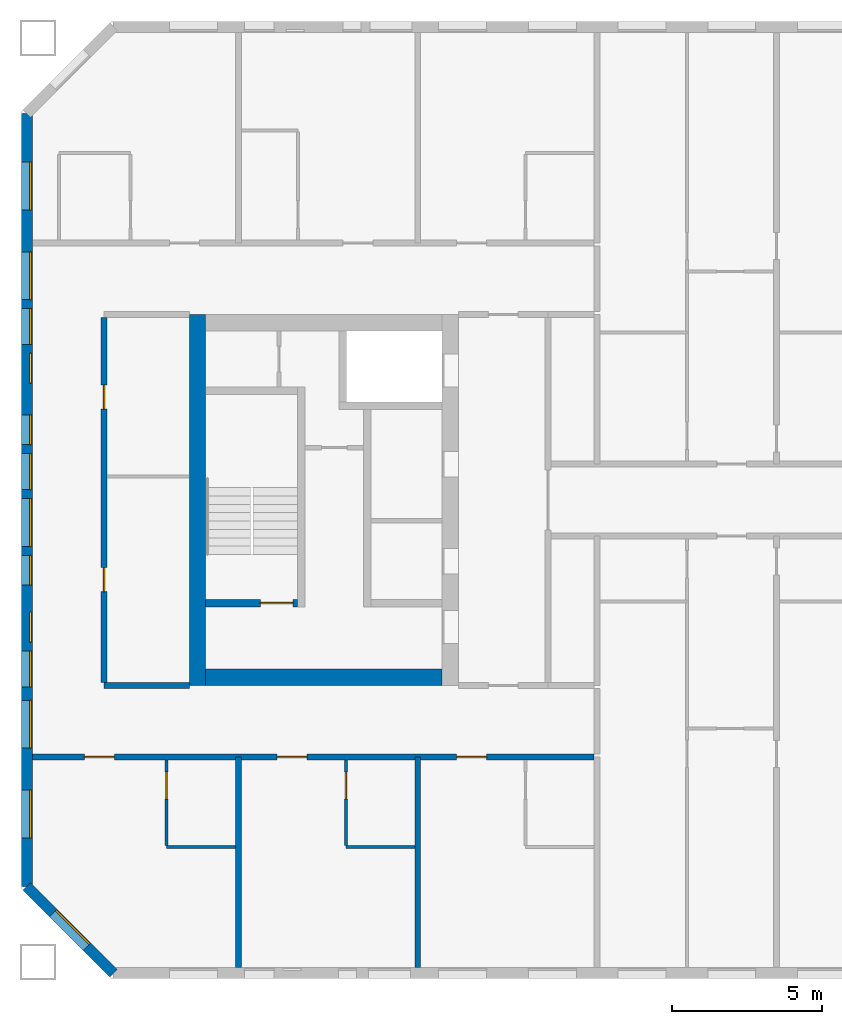
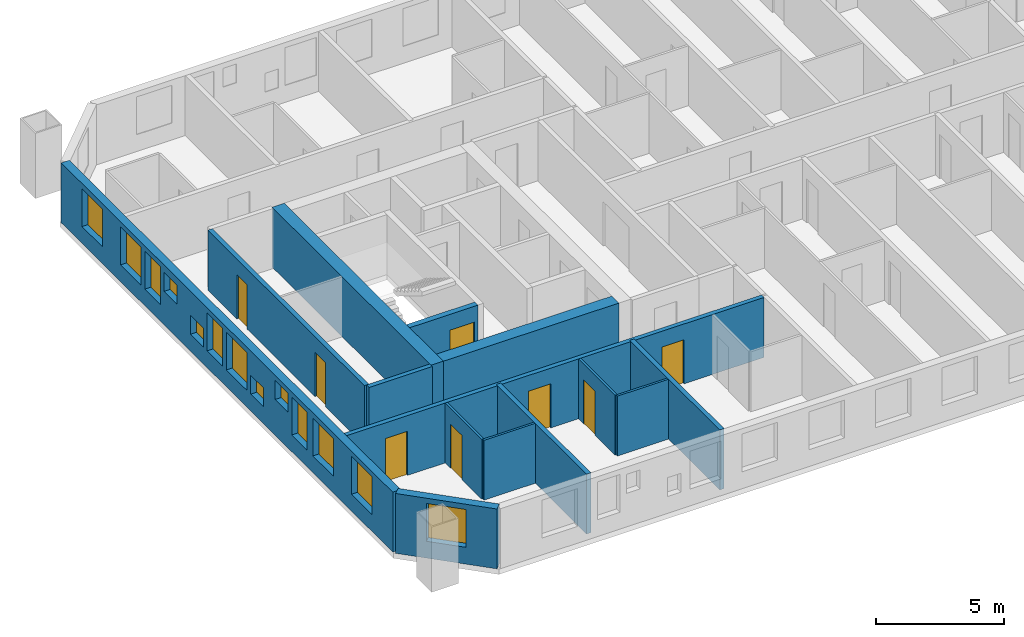
# One storey, part 2 of 17: 14 walls, 13 windows, 8 doors, 21 openings.
"""IFC4 building model written with IfcOpenShell, lengths in metres."""

from ifc_helpers import new_model, si_unit, direction, frame, frame_2d, origin, place, context, subcontext, project, spatial, rectangle, extrude, material, layer, layer_set, type_object, element, fill, save


model = new_model("IFC4")

# Units and contexts
model_context = context("Model", 3, precision=1e-05, world=origin(), true_north=direction((0.0, 1.0)))
body_context = subcontext(model_context, "Body", "Model", "MODEL_VIEW")
ifc_project = project(units=[si_unit("LENGTHUNIT", "METRE"), si_unit("AREAUNIT", "SQUARE_METRE"), si_unit("VOLUMEUNIT", "CUBIC_METRE"), si_unit("PLANEANGLEUNIT", "RADIAN"), si_unit("MASSUNIT", "GRAM", prefix="KILO")], contexts=[model_context])

# Site, building, storey
site_placement = place(None, origin())
site = spatial("IfcSite", under=ifc_project, at=site_placement, CompositionType="ELEMENT")
building_placement = place(site_placement, origin())
building = spatial("IfcBuilding", under=site, at=building_placement, Name="Tuart Gate Housing", CompositionType="ELEMENT")
storey_placement = place(building_placement, frame((0.0, 0.0, 126.800048828125)))
storey = spatial("IfcBuildingStorey", under=building, at=storey_placement, Name="L35", CompositionType="ELEMENT", Elevation=126.800048828125)

# Wall, opening, window
ifc_material_1 = material(Name="Brick", Category="masonry")
ifc_layer_1 = layer(ifc_material_1, 0.360107421875)
ifc_layer_set_1 = layer_set([ifc_layer_1], Name="Brick pier and spandrel wall 360")
wall_type_1 = type_object("IfcWallType", Name="Brick pier and spandrel wall 360", PredefinedType="STANDARD", material=ifc_layer_set_1)
wall_1_placement = place(storey_placement, frame((26.929931640625, 57.07470703125, 0.0), z_axis=(0.0, 0.0, 1.0), x_axis=(0.707106781187, -0.707106781187, 0.0)))
wall_1 = element("IfcWall", 1, at=wall_1_placement, inside=storey, type_object=wall_type_1, Name="External wall A-SW L35", PredefinedType="STANDARD", context=body_context, shape_type="SweptSolid", body=[
    extrude(rectangle(XDim=4.09375, YDim=0.360107421875, at=frame_2d((2.046875, 0.0))), origin(), (0.0, 0.0, 1.0), 2.849853515625),
])
opening_1_placement = place(wall_1_placement, frame((1.2470703125, 0.0, 0.800048828125)))
opening_1 = element("IfcOpeningElement", 2, at=opening_1_placement, cuts=wall_1, Name="Opening W1", PredefinedType="OPENING", context=body_context, shape_type="SweptSolid", body=[
    extrude(rectangle(XDim=1.60009765625, YDim=1.800048828125, at=frame_2d((0.800048828125, 0.89990234375))), frame((0.0, 0.18994140625, 0.0), z_axis=(0.0, -1.0, 0.0), x_axis=(1.0, 0.0, 0.0)), (0.0, 0.0, 1.0), 0.380126953125),
])
ifc_material_2 = material(Name="Aluminium frame with clear glass", Category="aluminium")
window_type_1 = type_object("IfcWindowType", Name="Punched window 1600 x 1800", PartitioningType="SINGLE_PANEL", PredefinedType="WINDOW", material=ifc_material_2)
window_1_placement = place(opening_1_placement, origin())
window_1 = element("IfcWindow", 3, at=window_1_placement, inside=storey, type_object=window_type_1, Name="Window W1", OverallHeight=1.800048828125, OverallWidth=1.60009765625, PartitioningType="SINGLE_PANEL", PredefinedType="WINDOW", context=body_context, shape_type="SweptSolid", body=[
    extrude(rectangle(XDim=1.60009765625, YDim=1.800048828125, at=frame_2d((0.800048828125, 0.89990234375))), frame((0.0, 0.150146484375, 0.0), z_axis=(0.0, -1.0, 0.0), x_axis=(1.0, 0.0, 0.0)), (0.0, 0.0, 1.0), 0.06005859375),
])
fill(opening_1, window_1)

# Wall, openings, windows
wall_2_placement = place(storey_placement, frame((26.929931640625, 82.92529296875, 0.0), z_axis=(0.0, 0.0, 1.0), x_axis=(0.0, -1.0, 0.0)))
wall_2 = element("IfcWall", 4, at=wall_2_placement, inside=storey, type_object=wall_type_1, Name="External wall A-W L35", PredefinedType="STANDARD", context=body_context, shape_type="SweptSolid", body=[
    extrude(rectangle(XDim=25.850830078125, YDim=0.360107421875, at=frame_2d((12.92529296875, 0.0))), origin(), (0.0, 0.0, 1.0), 2.849853515625),
])
opening_2_placement = place(wall_2_placement, frame((1.62548828125, 0.0, 0.800048828125)))
opening_2 = element("IfcOpeningElement", 5, at=opening_2_placement, cuts=wall_2, Name="Opening W1", PredefinedType="OPENING", context=body_context, shape_type="SweptSolid", body=[
    extrude(rectangle(XDim=1.60009765625, YDim=1.800048828125, at=frame_2d((0.800048828125, 0.89990234375))), frame((0.0, 0.18994140625, 0.0), z_axis=(0.0, -1.0, 0.0), x_axis=(1.0, 0.0, 0.0)), (0.0, 0.0, 1.0), 0.380126953125),
])
opening_3_placement = place(wall_2_placement, frame((4.62548828125, 0.0, 0.800048828125)))
opening_3 = element("IfcOpeningElement", 6, at=opening_3_placement, cuts=wall_2, Name="Opening W1", PredefinedType="OPENING", context=body_context, shape_type="SweptSolid", body=[
    extrude(rectangle(XDim=1.60009765625, YDim=1.800048828125, at=frame_2d((0.800048828125, 0.89990234375))), frame((0.0, 0.18994140625, 0.0), z_axis=(0.0, -1.0, 0.0), x_axis=(1.0, 0.0, 0.0)), (0.0, 0.0, 1.0), 0.380126953125),
])
opening_4_placement = place(wall_2_placement, frame((6.525390625, 0.0, 0.800048828125)))
opening_4 = element("IfcOpeningElement", 7, at=opening_4_placement, cuts=wall_2, Name="Opening W1B", PredefinedType="OPENING", context=body_context, shape_type="SweptSolid", body=[
    extrude(rectangle(XDim=1.199951171875, YDim=1.800048828125, at=frame_2d((0.60009765625, 0.89990234375))), frame((0.0, 0.18994140625, 0.0), z_axis=(0.0, -1.0, 0.0), x_axis=(1.0, 0.0, 0.0)), (0.0, 0.0, 1.0), 0.380126953125),
])
opening_5_placement = place(wall_2_placement, frame((8.025390625, 0.0, 1.60009765625)))
opening_5 = element("IfcOpeningElement", 8, at=opening_5_placement, cuts=wall_2, Name="Opening W1U", PredefinedType="OPENING", context=body_context, shape_type="SweptSolid", body=[
    extrude(rectangle(XDim=1.0, YDim=0.89990234375, at=frame_2d((0.5, 0.449951171875))), frame((0.0, 0.18994140625, 0.0), z_axis=(0.0, -1.0, 0.0), x_axis=(1.0, 0.0, 0.0)), (0.0, 0.0, 1.0), 0.380126953125),
])
opening_6_placement = place(wall_2_placement, frame((10.075439453125, 0.0, 0.800048828125)))
opening_6 = element("IfcOpeningElement", 9, at=opening_6_placement, cuts=wall_2, Name="Opening W1U", PredefinedType="OPENING", context=body_context, shape_type="SweptSolid", body=[
    extrude(rectangle(XDim=1.0, YDim=0.89990234375, at=frame_2d((0.5, 0.449951171875))), frame((0.0, 0.18994140625, 0.0), z_axis=(0.0, -1.0, 0.0), x_axis=(1.0, 0.0, 0.0)), (0.0, 0.0, 1.0), 0.380126953125),
])
opening_7_placement = place(wall_2_placement, frame((11.37548828125, 0.0, 0.800048828125)))
opening_7 = element("IfcOpeningElement", 10, at=opening_7_placement, cuts=wall_2, Name="Opening W1B", PredefinedType="OPENING", context=body_context, shape_type="SweptSolid", body=[
    extrude(rectangle(XDim=1.199951171875, YDim=1.800048828125, at=frame_2d((0.60009765625, 0.89990234375))), frame((0.0, 0.18994140625, 0.0), z_axis=(0.0, -1.0, 0.0), x_axis=(1.0, 0.0, 0.0)), (0.0, 0.0, 1.0), 0.380126953125),
])
opening_8_placement = place(wall_2_placement, frame((19.62548828125, 0.0, 0.800048828125)))
opening_8 = element("IfcOpeningElement", 11, at=opening_8_placement, cuts=wall_2, Name="Opening W1", PredefinedType="OPENING", context=body_context, shape_type="SweptSolid", body=[
    extrude(rectangle(XDim=1.60009765625, YDim=1.800048828125, at=frame_2d((0.800048828125, 0.89990234375))), frame((0.0, 0.18994140625, 0.0), z_axis=(0.0, -1.0, 0.0), x_axis=(1.0, 0.0, 0.0)), (0.0, 0.0, 1.0), 0.380126953125),
])
opening_9_placement = place(wall_2_placement, frame((22.62548828125, 0.0, 0.800048828125)))
opening_9 = element("IfcOpeningElement", 12, at=opening_9_placement, cuts=wall_2, Name="Opening W1", PredefinedType="OPENING", context=body_context, shape_type="SweptSolid", body=[
    extrude(rectangle(XDim=1.60009765625, YDim=1.800048828125, at=frame_2d((0.800048828125, 0.89990234375))), frame((0.0, 0.18994140625, 0.0), z_axis=(0.0, -1.0, 0.0), x_axis=(1.0, 0.0, 0.0)), (0.0, 0.0, 1.0), 0.380126953125),
])
opening_10_placement = place(wall_2_placement, frame((12.87548828125, 0.0, 0.800048828125)))
opening_10 = element("IfcOpeningElement", 13, at=opening_10_placement, cuts=wall_2, Name="Opening W1", PredefinedType="OPENING", context=body_context, shape_type="SweptSolid", body=[
    extrude(rectangle(XDim=1.60009765625, YDim=1.800048828125, at=frame_2d((0.800048828125, 0.89990234375))), frame((0.0, 0.18994140625, 0.0), z_axis=(0.0, -1.0, 0.0), x_axis=(1.0, 0.0, 0.0)), (0.0, 0.0, 1.0), 0.380126953125),
])
opening_11_placement = place(wall_2_placement, frame((14.775390625, 0.0, 0.800048828125)))
opening_11 = element("IfcOpeningElement", 14, at=opening_11_placement, cuts=wall_2, Name="Opening W1U", PredefinedType="OPENING", context=body_context, shape_type="SweptSolid", body=[
    extrude(rectangle(XDim=1.0, YDim=0.89990234375, at=frame_2d((0.5, 0.449951171875))), frame((0.0, 0.18994140625, 0.0), z_axis=(0.0, -1.0, 0.0), x_axis=(1.0, 0.0, 0.0)), (0.0, 0.0, 1.0), 0.380126953125),
])
opening_12_placement = place(wall_2_placement, frame((16.67529296875, 0.0, 1.699951171875)))
opening_12 = element("IfcOpeningElement", 15, at=opening_12_placement, cuts=wall_2, Name="Opening W1U", PredefinedType="OPENING", context=body_context, shape_type="SweptSolid", body=[
    extrude(rectangle(XDim=1.0, YDim=0.89990234375, at=frame_2d((0.5, 0.449951171875))), frame((0.0, 0.18994140625, 0.0), z_axis=(0.0, -1.0, 0.0), x_axis=(1.0, 0.0, 0.0)), (0.0, 0.0, 1.0), 0.380126953125),
])
opening_13_placement = place(wall_2_placement, frame((17.975341796875, 0.0, 0.800048828125)))
opening_13 = element("IfcOpeningElement", 16, at=opening_13_placement, cuts=wall_2, Name="Opening W1B", PredefinedType="OPENING", context=body_context, shape_type="SweptSolid", body=[
    extrude(rectangle(XDim=1.199951171875, YDim=1.800048828125, at=frame_2d((0.60009765625, 0.89990234375))), frame((0.0, 0.18994140625, 0.0), z_axis=(0.0, -1.0, 0.0), x_axis=(1.0, 0.0, 0.0)), (0.0, 0.0, 1.0), 0.380126953125),
])
ifc_material_3 = material(Name="Aluminium frame with clear glass", Category="aluminium")
window_type_2 = type_object("IfcWindowType", Name="Punched window 1000 x 900", PartitioningType="SINGLE_PANEL", PredefinedType="WINDOW", material=ifc_material_3)
window_2_placement = place(opening_5_placement, origin())
window_2 = element("IfcWindow", 17, at=window_2_placement, inside=storey, type_object=window_type_2, Name="Window W1U", OverallHeight=0.89990234375, OverallWidth=1.0, PartitioningType="SINGLE_PANEL", PredefinedType="WINDOW", context=body_context, shape_type="SweptSolid", body=[
    extrude(rectangle(XDim=1.0, YDim=0.89990234375, at=frame_2d((0.5, 0.449951171875))), frame((0.0, 0.150146484375, 0.0), z_axis=(0.0, -1.0, 0.0), x_axis=(1.0, 0.0, 0.0)), (0.0, 0.0, 1.0), 0.06005859375),
])
fill(opening_5, window_2)
window_3_placement = place(opening_6_placement, origin())
window_3 = element("IfcWindow", 18, at=window_3_placement, inside=storey, type_object=window_type_2, Name="Window W1U", OverallHeight=0.89990234375, OverallWidth=1.0, PartitioningType="SINGLE_PANEL", PredefinedType="WINDOW", context=body_context, shape_type="SweptSolid", body=[
    extrude(rectangle(XDim=1.0, YDim=0.89990234375, at=frame_2d((0.5, 0.449951171875))), frame((0.0, 0.150146484375, 0.0), z_axis=(0.0, -1.0, 0.0), x_axis=(1.0, 0.0, 0.0)), (0.0, 0.0, 1.0), 0.06005859375),
])
fill(opening_6, window_3)
window_4_placement = place(opening_11_placement, origin())
window_4 = element("IfcWindow", 19, at=window_4_placement, inside=storey, type_object=window_type_2, Name="Window W1U", OverallHeight=0.89990234375, OverallWidth=1.0, PartitioningType="SINGLE_PANEL", PredefinedType="WINDOW", context=body_context, shape_type="SweptSolid", body=[
    extrude(rectangle(XDim=1.0, YDim=0.89990234375, at=frame_2d((0.5, 0.449951171875))), frame((0.0, 0.150146484375, 0.0), z_axis=(0.0, -1.0, 0.0), x_axis=(1.0, 0.0, 0.0)), (0.0, 0.0, 1.0), 0.06005859375),
])
fill(opening_11, window_4)
window_5_placement = place(opening_12_placement, origin())
window_5 = element("IfcWindow", 20, at=window_5_placement, inside=storey, type_object=window_type_2, Name="Window W1U", OverallHeight=0.89990234375, OverallWidth=1.0, PartitioningType="SINGLE_PANEL", PredefinedType="WINDOW", context=body_context, shape_type="SweptSolid", body=[
    extrude(rectangle(XDim=1.0, YDim=0.89990234375, at=frame_2d((0.5, 0.449951171875))), frame((0.0, 0.150146484375, 0.0), z_axis=(0.0, -1.0, 0.0), x_axis=(1.0, 0.0, 0.0)), (0.0, 0.0, 1.0), 0.06005859375),
])
fill(opening_12, window_5)
ifc_material_4 = material(Name="Aluminium frame with clear glass", Category="aluminium")
window_type_3 = type_object("IfcWindowType", Name="Punched window 1200 x 1800", PartitioningType="SINGLE_PANEL", PredefinedType="WINDOW", material=ifc_material_4)
window_6_placement = place(opening_4_placement, origin())
window_6 = element("IfcWindow", 21, at=window_6_placement, inside=storey, type_object=window_type_3, Name="Window W1B", OverallHeight=1.800048828125, OverallWidth=1.199951171875, PartitioningType="SINGLE_PANEL", PredefinedType="WINDOW", context=body_context, shape_type="SweptSolid", body=[
    extrude(rectangle(XDim=1.199951171875, YDim=1.800048828125, at=frame_2d((0.60009765625, 0.89990234375))), frame((0.0, 0.150146484375, 0.0), z_axis=(0.0, -1.0, 0.0), x_axis=(1.0, 0.0, 0.0)), (0.0, 0.0, 1.0), 0.06005859375),
])
fill(opening_4, window_6)
window_7_placement = place(opening_7_placement, origin())
window_7 = element("IfcWindow", 22, at=window_7_placement, inside=storey, type_object=window_type_3, Name="Window W1B", OverallHeight=1.800048828125, OverallWidth=1.199951171875, PartitioningType="SINGLE_PANEL", PredefinedType="WINDOW", context=body_context, shape_type="SweptSolid", body=[
    extrude(rectangle(XDim=1.199951171875, YDim=1.800048828125, at=frame_2d((0.60009765625, 0.89990234375))), frame((0.0, 0.150146484375, 0.0), z_axis=(0.0, -1.0, 0.0), x_axis=(1.0, 0.0, 0.0)), (0.0, 0.0, 1.0), 0.06005859375),
])
fill(opening_7, window_7)
window_8_placement = place(opening_13_placement, origin())
window_8 = element("IfcWindow", 23, at=window_8_placement, inside=storey, type_object=window_type_3, Name="Window W1B", OverallHeight=1.800048828125, OverallWidth=1.199951171875, PartitioningType="SINGLE_PANEL", PredefinedType="WINDOW", context=body_context, shape_type="SweptSolid", body=[
    extrude(rectangle(XDim=1.199951171875, YDim=1.800048828125, at=frame_2d((0.60009765625, 0.89990234375))), frame((0.0, 0.150146484375, 0.0), z_axis=(0.0, -1.0, 0.0), x_axis=(1.0, 0.0, 0.0)), (0.0, 0.0, 1.0), 0.06005859375),
])
fill(opening_13, window_8)
window_9_placement = place(opening_2_placement, origin())
window_9 = element("IfcWindow", 24, at=window_9_placement, inside=storey, type_object=window_type_1, Name="Window W1", OverallHeight=1.800048828125, OverallWidth=1.60009765625, PartitioningType="SINGLE_PANEL", PredefinedType="WINDOW", context=body_context, shape_type="SweptSolid", body=[
    extrude(rectangle(XDim=1.60009765625, YDim=1.800048828125, at=frame_2d((0.800048828125, 0.89990234375))), frame((0.0, 0.150146484375, 0.0), z_axis=(0.0, -1.0, 0.0), x_axis=(1.0, 0.0, 0.0)), (0.0, 0.0, 1.0), 0.06005859375),
])
fill(opening_2, window_9)
window_10_placement = place(opening_3_placement, origin())
window_10 = element("IfcWindow", 25, at=window_10_placement, inside=storey, type_object=window_type_1, Name="Window W1", OverallHeight=1.800048828125, OverallWidth=1.60009765625, PartitioningType="SINGLE_PANEL", PredefinedType="WINDOW", context=body_context, shape_type="SweptSolid", body=[
    extrude(rectangle(XDim=1.60009765625, YDim=1.800048828125, at=frame_2d((0.800048828125, 0.89990234375))), frame((0.0, 0.150146484375, 0.0), z_axis=(0.0, -1.0, 0.0), x_axis=(1.0, 0.0, 0.0)), (0.0, 0.0, 1.0), 0.06005859375),
])
fill(opening_3, window_10)
window_11_placement = place(opening_8_placement, origin())
window_11 = element("IfcWindow", 26, at=window_11_placement, inside=storey, type_object=window_type_1, Name="Window W1", OverallHeight=1.800048828125, OverallWidth=1.60009765625, PartitioningType="SINGLE_PANEL", PredefinedType="WINDOW", context=body_context, shape_type="SweptSolid", body=[
    extrude(rectangle(XDim=1.60009765625, YDim=1.800048828125, at=frame_2d((0.800048828125, 0.89990234375))), frame((0.0, 0.150146484375, 0.0), z_axis=(0.0, -1.0, 0.0), x_axis=(1.0, 0.0, 0.0)), (0.0, 0.0, 1.0), 0.06005859375),
])
fill(opening_8, window_11)
window_12_placement = place(opening_9_placement, origin())
window_12 = element("IfcWindow", 27, at=window_12_placement, inside=storey, type_object=window_type_1, Name="Window W1", OverallHeight=1.800048828125, OverallWidth=1.60009765625, PartitioningType="SINGLE_PANEL", PredefinedType="WINDOW", context=body_context, shape_type="SweptSolid", body=[
    extrude(rectangle(XDim=1.60009765625, YDim=1.800048828125, at=frame_2d((0.800048828125, 0.89990234375))), frame((0.0, 0.150146484375, 0.0), z_axis=(0.0, -1.0, 0.0), x_axis=(1.0, 0.0, 0.0)), (0.0, 0.0, 1.0), 0.06005859375),
])
fill(opening_9, window_12)
window_13_placement = place(opening_10_placement, origin())
window_13 = element("IfcWindow", 28, at=window_13_placement, inside=storey, type_object=window_type_1, Name="Window W1", OverallHeight=1.800048828125, OverallWidth=1.60009765625, PartitioningType="SINGLE_PANEL", PredefinedType="WINDOW", context=body_context, shape_type="SweptSolid", body=[
    extrude(rectangle(XDim=1.60009765625, YDim=1.800048828125, at=frame_2d((0.800048828125, 0.89990234375))), frame((0.0, 0.150146484375, 0.0), z_axis=(0.0, -1.0, 0.0), x_axis=(1.0, 0.0, 0.0)), (0.0, 0.0, 1.0), 0.06005859375),
])
fill(opening_10, window_13)

# Wall, opening, door
ifc_material_5 = material(Name="Concrete C50", Category="concrete")
ifc_layer_2 = layer(ifc_material_5, 0.25)
ifc_layer_set_2 = layer_set([ifc_layer_2], Name="Core wall 250 C50")
wall_type_2 = type_object("IfcWallType", Name="Core wall 250 C50", PredefinedType="SHEAR", material=ifc_layer_set_2)
wall_3_placement = place(storey_placement, frame((35.985107421875, 66.550048828125, 0.0), z_axis=(0.0, 0.0, 1.0), x_axis=(-1.0, 0.0, 0.0)))
wall_3 = element("IfcWall", 29, at=wall_3_placement, inside=storey, type_object=wall_type_2, Name="Core wall AK.6", PredefinedType="SHEAR", context=body_context, shape_type="SweptSolid", body=[
    extrude(rectangle(XDim=3.0751953125, YDim=0.25, at=frame_2d((1.53759765625, 0.0))), origin(), (0.0, 0.0, 1.0), 2.849853515625),
])
opening_14_placement = place(wall_3_placement, frame((0.14990234375, 0.0, 0.0)))
opening_14 = element("IfcOpeningElement", 30, at=opening_14_placement, cuts=wall_3, Name="Opening D1328", PredefinedType="OPENING", context=body_context, shape_type="SweptSolid", body=[
    extrude(rectangle(XDim=1.10009765625, YDim=2.10009765625, at=frame_2d((0.550048828125, 1.050048828125))), frame((0.0, 0.135009765625, 0.0), z_axis=(0.0, -1.0, 0.0), x_axis=(1.0, 0.0, 0.0)), (0.0, 0.0, 1.0), 0.27001953125),
])
ifc_material_6 = material(Name="Steel fire door", Category="steel")
door_type_1 = type_object("IfcDoorType", Name="Stair door 1100 x 2100 RH", OperationType="SINGLE_SWING_RIGHT", PredefinedType="DOOR", material=ifc_material_6)
door_1_placement = place(opening_14_placement, frame((1.10009765625, 0.0, 0.0), z_axis=(0.0, 0.0, 1.0), x_axis=(-1.0, 0.0, 0.0)))
door_1 = element("IfcDoor", 31, at=door_1_placement, inside=storey, type_object=door_type_1, Name="Stair door AK.SD", OperationType="SINGLE_SWING_RIGHT", OverallHeight=2.10009765625, OverallWidth=1.10009765625, PredefinedType="DOOR", context=body_context, shape_type="SweptSolid", body=[
    extrude(rectangle(XDim=1.10009765625, YDim=2.10009765625, at=frame_2d((0.550048828125, 1.050048828125))), frame((0.0, 0.025146484375, 0.0), z_axis=(0.0, -1.0, 0.0), x_axis=(1.0, 0.0, 0.0)), (0.0, 0.0, 1.0), 0.050048828125),
])
fill(opening_14, door_1)

# Walls
ifc_material_7 = material(Name="Concrete C50", Category="concrete")
ifc_layer_3 = layer(ifc_material_7, 0.550048828125)
ifc_layer_set_3 = layer_set([ifc_layer_3], Name="Core wall 550 C50")
wall_type_3 = type_object("IfcWallType", Name="Core wall 550 C50", PredefinedType="SHEAR", material=ifc_layer_set_3)
wall_4_placement = place(storey_placement, frame((32.635009765625, 76.199951171875, 0.0), z_axis=(0.0, 0.0, 1.0), x_axis=(0.0, -1.0, 0.0)))
element("IfcWall", 32, at=wall_4_placement, inside=storey, type_object=wall_type_3, Name="Core wall AK back", PredefinedType="SHEAR", context=body_context, shape_type="SweptSolid", body=[
    extrude(rectangle(XDim=12.39990234375, YDim=0.550048828125, at=frame_2d((6.199951171875, 0.0))), origin(), (0.0, 0.0, 1.0), 2.849853515625),
])
wall_5_placement = place(storey_placement, frame((40.81005859375, 64.074951171875, 0.0), z_axis=(0.0, 0.0, 1.0), x_axis=(-1.0, 0.0, 0.0)))
element("IfcWall", 33, at=wall_5_placement, inside=storey, type_object=wall_type_3, Name="Core wall AK north", PredefinedType="SHEAR", context=body_context, shape_type="SweptSolid", body=[
    extrude(rectangle(XDim=7.900146484375, YDim=0.550048828125, at=frame_2d((3.9501953125, 0.0))), origin(), (0.0, 0.0, 1.0), 2.849853515625),
])

# Wall, openings, doors
ifc_material_8 = material(Name="Concrete masonry 15 MPa", Category="masonry")
ifc_layer_4 = layer(ifc_material_8, 0.199951171875)
ifc_layer_set_4 = layer_set([ifc_layer_4], Name="Corridor wall masonry 200")
wall_type_4 = type_object("IfcWallType", Name="Corridor wall masonry 200", PredefinedType="PARTITIONING", material=ifc_layer_set_4)
wall_6_placement = place(storey_placement, frame((27.110107421875, 61.39990234375, 0.0), z_axis=(0.0, 0.0, 1.0), x_axis=(1.0, 0.0, 0.0)))
wall_6 = element("IfcWall", 34, at=wall_6_placement, inside=storey, type_object=wall_type_4, Name="Corridor wall masonry 200", PredefinedType="PARTITIONING", context=body_context, shape_type="SweptSolid", body=[
    extrude(rectangle(XDim=18.789794921875, YDim=0.199951171875, at=frame_2d((9.39501953125, 0.0))), origin(), (0.0, 0.0, 1.0), 2.849853515625),
])
opening_15_placement = place(wall_6_placement, frame((14.18994140625, 0.0, 0.0)))
opening_15 = element("IfcOpeningElement", 35, at=opening_15_placement, cuts=wall_6, Name="Opening D1340", PredefinedType="OPENING", context=body_context, shape_type="SweptSolid", body=[
    extrude(rectangle(XDim=1.0, YDim=2.10009765625, at=frame_2d((0.5, 1.050048828125))), frame((0.0, 0.10986328125, 0.0), z_axis=(0.0, -1.0, 0.0), x_axis=(1.0, 0.0, 0.0)), (0.0, 0.0, 1.0), 0.219970703125),
])
opening_16_placement = place(wall_6_placement, frame((8.18994140625, 0.0, 0.0)))
opening_16 = element("IfcOpeningElement", 36, at=opening_16_placement, cuts=wall_6, Name="Opening D1341", PredefinedType="OPENING", context=body_context, shape_type="SweptSolid", body=[
    extrude(rectangle(XDim=1.0, YDim=2.10009765625, at=frame_2d((0.5, 1.050048828125))), frame((0.0, 0.10986328125, 0.0), z_axis=(0.0, -1.0, 0.0), x_axis=(1.0, 0.0, 0.0)), (0.0, 0.0, 1.0), 0.219970703125),
])
opening_17_placement = place(wall_6_placement, frame((1.7451171875, 0.0, 0.0)))
opening_17 = element("IfcOpeningElement", 37, at=opening_17_placement, cuts=wall_6, Name="Opening D1342", PredefinedType="OPENING", context=body_context, shape_type="SweptSolid", body=[
    extrude(rectangle(XDim=1.0, YDim=2.10009765625, at=frame_2d((0.5, 1.050048828125))), frame((0.0, 0.10986328125, 0.0), z_axis=(0.0, -1.0, 0.0), x_axis=(1.0, 0.0, 0.0)), (0.0, 0.0, 1.0), 0.219970703125),
])
ifc_material_9 = material(Name="Timber door leaf in steel frame", Category="steel")
door_type_2 = type_object("IfcDoorType", Name="Flat entrance door 1000 RH", OperationType="SINGLE_SWING_RIGHT", PredefinedType="DOOR", material=ifc_material_9)
door_2_placement = place(opening_15_placement, frame((1.0, 0.0, 0.0), z_axis=(0.0, 0.0, 1.0), x_axis=(-1.0, 0.0, 0.0)))
door_2 = element("IfcDoor", 38, at=door_2_placement, inside=storey, type_object=door_type_2, Name="Flat entrance door", OperationType="SINGLE_SWING_RIGHT", OverallHeight=2.10009765625, OverallWidth=1.0, PredefinedType="DOOR", context=body_context, shape_type="SweptSolid", body=[
    extrude(rectangle(XDim=1.0, YDim=2.10009765625, at=frame_2d((0.5, 1.050048828125))), frame((0.0, 0.025146484375, 0.0), z_axis=(0.0, -1.0, 0.0), x_axis=(1.0, 0.0, 0.0)), (0.0, 0.0, 1.0), 0.050048828125),
])
fill(opening_15, door_2)
door_3_placement = place(opening_16_placement, frame((1.0, 0.0, 0.0), z_axis=(0.0, 0.0, 1.0), x_axis=(-1.0, 0.0, 0.0)))
door_3 = element("IfcDoor", 39, at=door_3_placement, inside=storey, type_object=door_type_2, Name="Flat entrance door", OperationType="SINGLE_SWING_RIGHT", OverallHeight=2.10009765625, OverallWidth=1.0, PredefinedType="DOOR", context=body_context, shape_type="SweptSolid", body=[
    extrude(rectangle(XDim=1.0, YDim=2.10009765625, at=frame_2d((0.5, 1.050048828125))), frame((0.0, 0.025146484375, 0.0), z_axis=(0.0, -1.0, 0.0), x_axis=(1.0, 0.0, 0.0)), (0.0, 0.0, 1.0), 0.050048828125),
])
fill(opening_16, door_3)
door_4_placement = place(opening_17_placement, frame((1.0, 0.0, 0.0), z_axis=(0.0, 0.0, 1.0), x_axis=(-1.0, 0.0, 0.0)))
door_4 = element("IfcDoor", 40, at=door_4_placement, inside=storey, type_object=door_type_2, Name="Flat entrance door", OperationType="SINGLE_SWING_RIGHT", OverallHeight=2.10009765625, OverallWidth=1.0, PredefinedType="DOOR", context=body_context, shape_type="SweptSolid", body=[
    extrude(rectangle(XDim=1.0, YDim=2.10009765625, at=frame_2d((0.5, 1.050048828125))), frame((0.0, 0.025146484375, 0.0), z_axis=(0.0, -1.0, 0.0), x_axis=(1.0, 0.0, 0.0)), (0.0, 0.0, 1.0), 0.050048828125),
])
fill(opening_17, door_4)

# Wall
wall_7_placement = place(storey_placement, frame((29.510009765625, 63.800048828125, 0.0), z_axis=(0.0, 0.0, 1.0), x_axis=(1.0, 0.0, 0.0)))
element("IfcWall", 41, at=wall_7_placement, inside=storey, type_object=wall_type_4, Name="Corridor wall masonry 200", PredefinedType="PARTITIONING", context=body_context, shape_type="SweptSolid", body=[
    extrude(rectangle(XDim=2.85009765625, YDim=0.199951171875, at=frame_2d((1.425048828125, 0.0))), origin(), (0.0, 0.0, 1.0), 2.849853515625),
])

# Wall, openings, doors
wall_8_placement = place(storey_placement, frame((29.510009765625, 63.89990234375, 0.0), z_axis=(0.0, 0.0, 1.0), x_axis=(0.0, 1.0, 0.0)))
wall_8 = element("IfcWall", 42, at=wall_8_placement, inside=storey, type_object=wall_type_4, Name="Corridor wall masonry 200", PredefinedType="PARTITIONING", context=body_context, shape_type="SweptSolid", body=[
    extrude(rectangle(XDim=12.2001953125, YDim=0.199951171875, at=frame_2d((6.10009765625, 0.0))), origin(), (0.0, 0.0, 1.0), 2.849853515625),
])
opening_18_placement = place(wall_8_placement, frame((3.0400390625, 0.0, 0.0)))
opening_18 = element("IfcOpeningElement", 43, at=opening_18_placement, cuts=wall_8, Name="Opening D1317", PredefinedType="OPENING", context=body_context, shape_type="SweptSolid", body=[
    extrude(rectangle(XDim=0.800048828125, YDim=2.10009765625, at=frame_2d((0.39990234375, 1.050048828125))), frame((0.0, 0.10986328125, 0.0), z_axis=(0.0, -1.0, 0.0), x_axis=(1.0, 0.0, 0.0)), (0.0, 0.0, 1.0), 0.219970703125),
])
opening_19_placement = place(wall_8_placement, frame((9.139892578125, 0.0, 0.0)))
opening_19 = element("IfcOpeningElement", 44, at=opening_19_placement, cuts=wall_8, Name="Opening D1318", PredefinedType="OPENING", context=body_context, shape_type="SweptSolid", body=[
    extrude(rectangle(XDim=0.800048828125, YDim=2.10009765625, at=frame_2d((0.39990234375, 1.050048828125))), frame((0.0, 0.10986328125, 0.0), z_axis=(0.0, -1.0, 0.0), x_axis=(1.0, 0.0, 0.0)), (0.0, 0.0, 1.0), 0.219970703125),
])
ifc_material_10 = material(Name="Timber door leaf in steel frame", Category="steel")
door_type_3 = type_object("IfcDoorType", Name="Store door 800", OperationType="SINGLE_SWING_LEFT", PredefinedType="DOOR", material=ifc_material_10)
door_5_placement = place(opening_18_placement, frame((0.800048828125, 0.0, 0.0), z_axis=(0.0, 0.0, 1.0), x_axis=(-1.0, 0.0, 0.0)))
door_5 = element("IfcDoor", 45, at=door_5_placement, inside=storey, type_object=door_type_3, Name="Store door", OperationType="SINGLE_SWING_LEFT", OverallHeight=2.10009765625, OverallWidth=0.800048828125, PredefinedType="DOOR", context=body_context, shape_type="SweptSolid", body=[
    extrude(rectangle(XDim=0.800048828125, YDim=2.10009765625, at=frame_2d((0.400146484375, 1.050048828125))), frame((0.0, 0.025146484375, 0.0), z_axis=(0.0, -1.0, 0.0), x_axis=(1.0, 0.0, 0.0)), (0.0, 0.0, 1.0), 0.050048828125),
])
fill(opening_18, door_5)
ifc_material_11 = material(Name="Timber door leaf in steel frame", Category="steel")
door_type_4 = type_object("IfcDoorType", Name="Store door 800 RH", OperationType="SINGLE_SWING_RIGHT", PredefinedType="DOOR", material=ifc_material_11)
door_6_placement = place(opening_19_placement, frame((0.800048828125, 0.0, 0.0), z_axis=(0.0, 0.0, 1.0), x_axis=(-1.0, 0.0, 0.0)))
door_6 = element("IfcDoor", 46, at=door_6_placement, inside=storey, type_object=door_type_4, Name="Store door", OperationType="SINGLE_SWING_RIGHT", OverallHeight=2.10009765625, OverallWidth=0.800048828125, PredefinedType="DOOR", context=body_context, shape_type="SweptSolid", body=[
    extrude(rectangle(XDim=0.800048828125, YDim=2.10009765625, at=frame_2d((0.400146484375, 1.050048828125))), frame((0.0, 0.025146484375, 0.0), z_axis=(0.0, -1.0, 0.0), x_axis=(1.0, 0.0, 0.0)), (0.0, 0.0, 1.0), 0.050048828125),
])
fill(opening_19, door_6)

# Walls
ifc_material_12 = material(Name="Gypsum board on steel studs", Category="steel")
ifc_layer_5 = layer(ifc_material_12, 0.10009765625)
ifc_layer_set_5 = layer_set([ifc_layer_5], Name="Partition 100")
wall_type_5 = type_object("IfcWallType", Name="Partition 100", PredefinedType="PARTITIONING", material=ifc_layer_set_5)
for number, where, z_axis, x_axis, name in (
    (47, (31.60009765625, 58.39990234375, 0.0), (0.0, 0.0, 1.0), (1.0, 0.0, 0.0), "Partition 100"),
    (48, (37.60009765625, 58.39990234375, 0.0), (0.0, 0.0, 1.0), (1.0, 0.0, 0.0), "Partition 100"),
):
    element("IfcWall", number, at=place(storey_placement, frame(where, z_axis=z_axis, x_axis=x_axis)), inside=storey, type_object=wall_type_5, Name=name, PredefinedType="PARTITIONING", context=body_context, shape_type="SweptSolid", body=[
        extrude(rectangle(XDim=2.2998046875, YDim=0.10009765625, at=frame_2d((1.14990234375, 0.0))), origin(), (0.0, 0.0, 1.0), 2.849853515625),
    ])

# Wall, opening, door
wall_9_placement = place(storey_placement, frame((31.60009765625, 58.449951171875, 0.0), z_axis=(0.0, 0.0, 1.0), x_axis=(0.0, 1.0, 0.0)))
wall_9 = element("IfcWall", 49, at=wall_9_placement, inside=storey, type_object=wall_type_5, Name="Partition 100", PredefinedType="PARTITIONING", context=body_context, shape_type="SweptSolid", body=[
    extrude(rectangle(XDim=2.85009765625, YDim=0.10009765625, at=frame_2d((1.425048828125, 0.0))), origin(), (0.0, 0.0, 1.0), 2.849853515625),
])
opening_20_placement = place(wall_9_placement, frame((1.550048828125, 0.0, 0.0)))
opening_20 = element("IfcOpeningElement", 50, at=opening_20_placement, cuts=wall_9, Name="Opening D1345", PredefinedType="OPENING", context=body_context, shape_type="SweptSolid", body=[
    extrude(rectangle(XDim=0.89990234375, YDim=2.10009765625, at=frame_2d((0.449951171875, 1.050048828125))), frame((0.0, 0.06005859375, 0.0), z_axis=(0.0, -1.0, 0.0), x_axis=(1.0, 0.0, 0.0)), (0.0, 0.0, 1.0), 0.1201171875),
])
ifc_material_13 = material(Name="Timber door leaf in steel frame", Category="steel")
door_type_5 = type_object("IfcDoorType", Name="Bathroom door 900", OperationType="SINGLE_SWING_LEFT", PredefinedType="DOOR", material=ifc_material_13)
door_7_placement = place(opening_20_placement, frame((0.89990234375, 0.0, 0.0), z_axis=(0.0, 0.0, 1.0), x_axis=(-1.0, 0.0, 0.0)))
door_7 = element("IfcDoor", 51, at=door_7_placement, inside=storey, type_object=door_type_5, Name="Bathroom door", OperationType="SINGLE_SWING_LEFT", OverallHeight=2.10009765625, OverallWidth=0.89990234375, PredefinedType="DOOR", context=body_context, shape_type="SweptSolid", body=[
    extrude(rectangle(XDim=0.89990234375, YDim=2.10009765625, at=frame_2d((0.449951171875, 1.050048828125))), frame((0.0, 0.025146484375, 0.0), z_axis=(0.0, -1.0, 0.0), x_axis=(1.0, 0.0, 0.0)), (0.0, 0.0, 1.0), 0.050048828125),
])
fill(opening_20, door_7)

wall_10_placement = place(storey_placement, frame((37.60009765625, 58.449951171875, 0.0), z_axis=(0.0, 0.0, 1.0), x_axis=(0.0, 1.0, 0.0)))
wall_10 = element("IfcWall", 52, at=wall_10_placement, inside=storey, type_object=wall_type_5, Name="Partition 100", PredefinedType="PARTITIONING", context=body_context, shape_type="SweptSolid", body=[
    extrude(rectangle(XDim=2.85009765625, YDim=0.10009765625, at=frame_2d((1.425048828125, 0.0))), origin(), (0.0, 0.0, 1.0), 2.849853515625),
])
opening_21_placement = place(wall_10_placement, frame((1.550048828125, 0.0, 0.0)))
opening_21 = element("IfcOpeningElement", 53, at=opening_21_placement, cuts=wall_10, Name="Opening D1346", PredefinedType="OPENING", context=body_context, shape_type="SweptSolid", body=[
    extrude(rectangle(XDim=0.89990234375, YDim=2.10009765625, at=frame_2d((0.449951171875, 1.050048828125))), frame((0.0, 0.06005859375, 0.0), z_axis=(0.0, -1.0, 0.0), x_axis=(1.0, 0.0, 0.0)), (0.0, 0.0, 1.0), 0.1201171875),
])
door_8_placement = place(opening_21_placement, frame((0.89990234375, 0.0, 0.0), z_axis=(0.0, 0.0, 1.0), x_axis=(-1.0, 0.0, 0.0)))
door_8 = element("IfcDoor", 54, at=door_8_placement, inside=storey, type_object=door_type_5, Name="Bathroom door", OperationType="SINGLE_SWING_LEFT", OverallHeight=2.10009765625, OverallWidth=0.89990234375, PredefinedType="DOOR", context=body_context, shape_type="SweptSolid", body=[
    extrude(rectangle(XDim=0.89990234375, YDim=2.10009765625, at=frame_2d((0.449951171875, 1.050048828125))), frame((0.0, 0.025146484375, 0.0), z_axis=(0.0, -1.0, 0.0), x_axis=(1.0, 0.0, 0.0)), (0.0, 0.0, 1.0), 0.050048828125),
])
fill(opening_21, door_8)

# Walls
ifc_material_14 = material(Name="Concrete C40", Category="concrete")
ifc_layer_6 = layer(ifc_material_14, 0.199951171875)
ifc_layer_set_6 = layer_set([ifc_layer_6], Name="Party wall concrete C40 200")
wall_type_6 = type_object("IfcWallType", Name="Party wall concrete C40 200", PredefinedType="SOLIDWALL", material=ifc_layer_set_6)
for number, where, z_axis, x_axis, name in (
    (55, (34.0, 54.360107421875, 0.0), (0.0, 0.0, 1.0), (0.0, 1.0, 0.0), "Party wall concrete C40 200"),
    (56, (40.0, 54.360107421875, 0.0), (0.0, 0.0, 1.0), (0.0, 1.0, 0.0), "Party wall concrete C40 200"),
):
    element("IfcWall", number, at=place(storey_placement, frame(where, z_axis=z_axis, x_axis=x_axis)), inside=storey, type_object=wall_type_6, Name=name, PredefinedType="SOLIDWALL", context=body_context, shape_type="SweptSolid", body=[
        extrude(rectangle(XDim=7.039794921875, YDim=0.199951171875, at=frame_2d((3.52001953125, 0.0))), origin(), (0.0, 0.0, 1.0), 2.849853515625),
    ])

save(model, "model.ifc")
